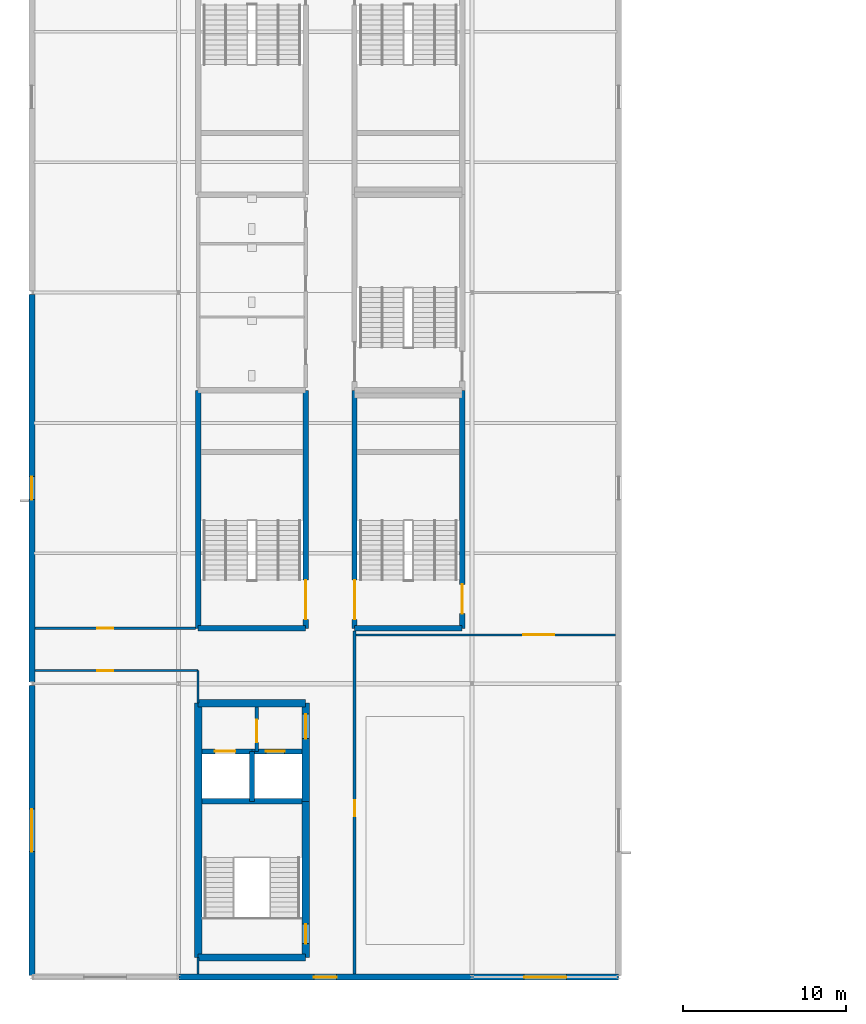
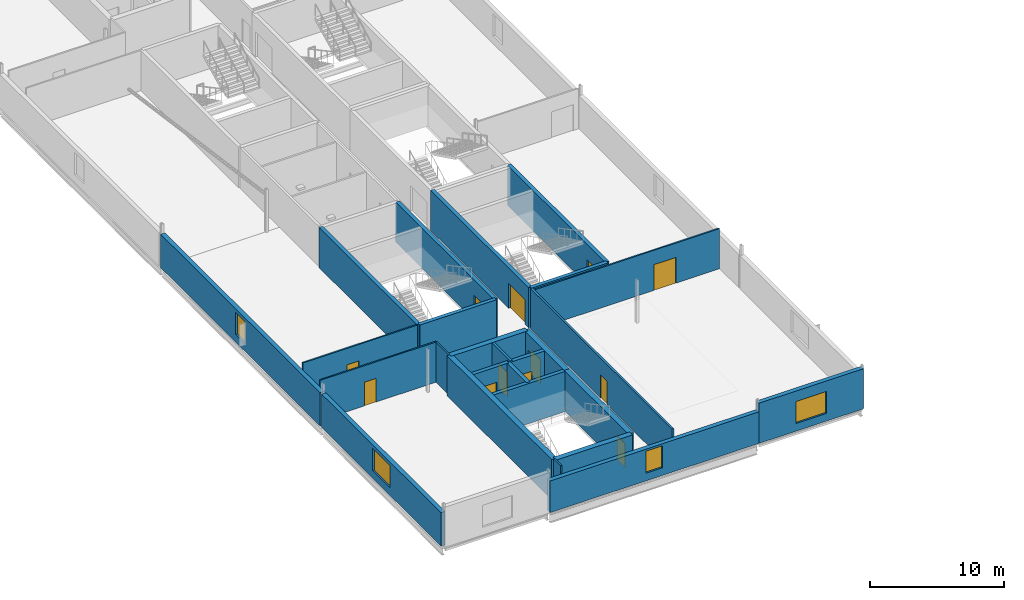
# One storey, part 19 of 35: 26 walls, 12 doors, 4 windows, 16 openings.
"""IFC4 building model written with IfcOpenShell, lengths in metres."""

from ifc_helpers import new_model, si_unit, direction, frame, frame_2d, origin, place, context, subcontext, project, spatial, rectangle, extrude, material, layer, layer_set, type_object, element, fill, save


model = new_model("IFC4")

# Units and contexts
model_context = context("Model", 3, precision=1e-05, world=origin(), true_north=direction((0.0, 1.0)))
body_context = subcontext(model_context, "Body", "Model", "MODEL_VIEW")
ifc_project = project(units=[si_unit("LENGTHUNIT", "METRE"), si_unit("AREAUNIT", "SQUARE_METRE"), si_unit("VOLUMEUNIT", "CUBIC_METRE"), si_unit("PLANEANGLEUNIT", "RADIAN"), si_unit("MASSUNIT", "GRAM", prefix="KILO")], contexts=[model_context])

# Site, building, storey
site_placement = place(None, origin())
site = spatial("IfcSite", under=ifc_project, at=site_placement, CompositionType="ELEMENT")
building_placement = place(site_placement, origin())
building = spatial("IfcBuilding", under=site, at=building_placement, Name="Kisiwana Market Hall", CompositionType="ELEMENT")
storey_placement = place(building_placement, frame((0.0, 0.0, 61.800048828125)))
storey = spatial("IfcBuildingStorey", under=building, at=storey_placement, Name="L14", CompositionType="ELEMENT", Elevation=61.800048828125)

# Wall, opening, door
ifc_material_1 = material(Name="Masonry blockwork", Category="masonry")
ifc_layer_1 = layer(ifc_material_1, 0.199951171875, Name="Plastered fire compartment block wall")
ifc_layer_set_1 = layer_set([ifc_layer_1], Name="WL-COMP-200")
wall_type_1 = type_object("IfcWallType", Name="WL-COMP-200", PredefinedType="PARTITIONING", material=ifc_layer_set_1)
wall_1_placement = place(storey_placement, frame((13.800048828125, 31.844970703125, 0.0), z_axis=(0.0, 0.0, 1.0), x_axis=(0.0, 1.0, 0.0)))
wall_1 = element("IfcWall", 1, at=wall_1_placement, inside=storey, type_object=wall_type_1, Name="Core W2 firefighting lobby wall W-3311", PredefinedType="PARTITIONING", context=body_context, shape_type="SweptSolid", body=[
    extrude(rectangle(XDim=2.72998046875, YDim=0.199951171875, at=frame_2d((1.364990234375, 0.0))), origin(), (0.0, 0.0, 1.0), 3.655029296875),
])
opening_1_placement = place(wall_1_placement, frame((0.550048828125, 0.0, 0.0)))
opening_1 = element("IfcOpeningElement", 2, at=opening_1_placement, cuts=wall_1, Name="Opening DR-L14-003", PredefinedType="OPENING", context=body_context, shape_type="SweptSolid", body=[
    extrude(rectangle(XDim=1.39990234375, YDim=2.25, at=frame_2d((0.699951171875, 1.125))), frame((0.0, 0.11181640625, 0.0), z_axis=(0.0, -1.0, 0.0), x_axis=(1.0, 0.0, 0.0)), (0.0, 0.0, 1.0), 0.223876953125),
])
ifc_material_2 = material(Name="Steel S275", Category="steel")
door_type_1 = type_object("IfcDoorType", Name="DR-FFLOB-FD120-1400", OperationType="DOUBLE_DOOR_SINGLE_SWING", PredefinedType="DOOR", material=ifc_material_2)
door_1_placement = place(opening_1_placement, frame((1.39990234375, 0.0, 0.0), z_axis=(0.0, 0.0, 1.0), x_axis=(-1.0, 0.0, 0.0)))
door_1 = element("IfcDoor", 3, at=door_1_placement, inside=storey, type_object=door_type_1, Name="Firefighting Lift Lobby W2 Door (L14)", OperationType="DOUBLE_DOOR_SINGLE_SWING", OverallHeight=2.25, OverallWidth=1.39990234375, PredefinedType="DOOR", context=body_context, shape_type="SweptSolid", body=[
    extrude(rectangle(XDim=1.39990234375, YDim=2.25, at=frame_2d((0.699951171875, 1.125))), frame((0.0, 0.02490234375, 0.0), z_axis=(0.0, -1.0, 0.0), x_axis=(1.0, 0.0, 0.0)), (0.0, 0.0, 1.0), 0.050048828125),
])
fill(opening_1, door_1)

# Walls
ifc_material_3 = material(Name="Concrete C40/50", Category="concrete")
ifc_layer_2 = layer(ifc_material_3, 0.320068359375, Name="Reinforced concrete shaft wall")
ifc_layer_set_2 = layer_set([ifc_layer_2], Name="WL-CORE-320")
wall_type_2 = type_object("IfcWallType", Name="WL-CORE-320", PredefinedType="SHEAR", material=ifc_layer_set_2)
wall_2_placement = place(storey_placement, frame((10.425048828125, 28.784912109375, 0.0), z_axis=(0.0, 0.0, 1.0), x_axis=(1.0, 0.0, 0.0)))
element("IfcWall", 4, at=wall_2_placement, inside=storey, type_object=wall_type_2, Name="Core W2 shaft back shear wall W-3204", PredefinedType="SHEAR", context=body_context, shape_type="SweptSolid", body=[
    extrude(rectangle(XDim=6.14990234375, YDim=0.320068359375, at=frame_2d((3.074951171875, 0.0))), origin(), (0.0, 0.0, 1.0), 3.655029296875),
])
wall_3_placement = place(storey_placement, frame((13.5, 28.784912109375, 0.0), z_axis=(0.0, 0.0, 1.0), x_axis=(0.0, 1.0, 0.0)))
element("IfcWall", 5, at=wall_3_placement, inside=storey, type_object=wall_type_2, Name="Core W2 inter-shaft shear wall W-3205", PredefinedType="SHEAR", context=body_context, shape_type="SweptSolid", body=[
    extrude(rectangle(XDim=3.06005859375, YDim=0.320068359375, at=frame_2d((1.530029296875, 0.0))), origin(), (0.0, 0.0, 1.0), 3.655029296875),
])

# Wall, opening, door
wall_4_placement = place(storey_placement, frame((10.425048828125, 31.844970703125, 0.0), z_axis=(0.0, 0.0, 1.0), x_axis=(1.0, 0.0, 0.0)))
wall_4 = element("IfcWall", 6, at=wall_4_placement, inside=storey, type_object=wall_type_2, Name="Core W2 west lift front wall W-3206", PredefinedType="SHEAR", context=body_context, shape_type="SweptSolid", body=[
    extrude(rectangle(XDim=3.074951171875, YDim=0.320068359375, at=frame_2d((1.53759765625, 0.0))), origin(), (0.0, 0.0, 1.0), 3.655029296875),
])
opening_2_placement = place(wall_4_placement, frame((0.800048828125, 0.0, 0.0)))
opening_2 = element("IfcOpeningElement", 7, at=opening_2_placement, cuts=wall_4, Name="Opening LD-L14-001", PredefinedType="OPENING", context=body_context, shape_type="SweptSolid", body=[
    extrude(rectangle(XDim=1.25, YDim=2.25, at=frame_2d((0.625, 1.125))), frame((0.0, 0.171875, 0.0), z_axis=(0.0, -1.0, 0.0), x_axis=(1.0, 0.0, 0.0)), (0.0, 0.0, 1.0), 0.343994140625),
])
ifc_material_4 = material(Name="Steel S275", Category="steel")
door_type_2 = type_object("IfcDoorType", Name="DR-LIFT-FFL-1250", OperationType="DOUBLE_DOOR_SLIDING", PredefinedType="DOOR", material=ifc_material_4)
door_2_placement = place(opening_2_placement, origin())
door_2 = element("IfcDoor", 8, at=door_2_placement, inside=storey, type_object=door_type_2, Name="Lift Landing Door FFL-01 (L14)", OperationType="DOUBLE_DOOR_SLIDING", OverallHeight=2.25, OverallWidth=1.25, PredefinedType="DOOR", context=body_context, shape_type="SweptSolid", body=[
    extrude(rectangle(XDim=1.25, YDim=2.25, at=frame_2d((0.625, 1.125))), frame((0.0, 0.02490234375, 0.0), z_axis=(0.0, -1.0, 0.0), x_axis=(1.0, 0.0, 0.0)), (0.0, 0.0, 1.0), 0.050048828125),
])
fill(opening_2, door_2)

wall_5_placement = place(storey_placement, frame((13.5, 31.844970703125, 0.0), z_axis=(0.0, 0.0, 1.0), x_axis=(1.0, 0.0, 0.0)))
wall_5 = element("IfcWall", 9, at=wall_5_placement, inside=storey, type_object=wall_type_2, Name="Core W2 east lift front wall W-3207", PredefinedType="SHEAR", context=body_context, shape_type="SweptSolid", body=[
    extrude(rectangle(XDim=3.074951171875, YDim=0.320068359375, at=frame_2d((1.53759765625, 0.0))), origin(), (0.0, 0.0, 1.0), 3.655029296875),
])
opening_3_placement = place(wall_5_placement, frame((0.85009765625, 0.0, 0.0)))
opening_3 = element("IfcOpeningElement", 10, at=opening_3_placement, cuts=wall_5, Name="Opening LD-L14-002", PredefinedType="OPENING", context=body_context, shape_type="SweptSolid", body=[
    extrude(rectangle(XDim=1.14990234375, YDim=2.199951171875, at=frame_2d((0.574951171875, 1.10009765625))), frame((0.0, 0.171875, 0.0), z_axis=(0.0, -1.0, 0.0), x_axis=(1.0, 0.0, 0.0)), (0.0, 0.0, 1.0), 0.343994140625),
])
ifc_material_5 = material(Name="Steel S275", Category="steel")
door_type_3 = type_object("IfcDoorType", Name="DR-LIFT-PAX-1150", OperationType="DOUBLE_DOOR_SLIDING", PredefinedType="DOOR", material=ifc_material_5)
door_3_placement = place(opening_3_placement, origin())
door_3 = element("IfcDoor", 11, at=door_3_placement, inside=storey, type_object=door_type_3, Name="Lift Landing Door LP-01 (L14)", OperationType="DOUBLE_DOOR_SLIDING", OverallHeight=2.199951171875, OverallWidth=1.14990234375, PredefinedType="DOOR", context=body_context, shape_type="SweptSolid", body=[
    extrude(rectangle(XDim=1.14990234375, YDim=2.199951171875, at=frame_2d((0.574951171875, 1.10009765625))), frame((0.0, 0.02490234375, 0.0), z_axis=(0.0, -1.0, 0.0), x_axis=(1.0, 0.0, 0.0)), (0.0, 0.0, 1.0), 0.050048828125),
])
fill(opening_3, door_3)

# Walls
wall_6_placement = place(storey_placement, frame((10.199951171875, 39.39990234375, 0.0), z_axis=(0.0, 0.0, 1.0), x_axis=(1.0, 0.0, 0.0)))
element("IfcWall", 12, at=wall_6_placement, inside=storey, type_object=wall_type_2, Name="Core W3 south shear wall W-3235", PredefinedType="SHEAR", context=body_context, shape_type="SweptSolid", body=[
    extrude(rectangle(XDim=6.60009765625, YDim=0.320068359375, at=frame_2d((3.300048828125, 0.0))), origin(), (0.0, 0.0, 1.0), 3.655029296875),
])
wall_7_placement = place(storey_placement, frame((10.199951171875, 39.39990234375, 0.0), z_axis=(0.0, 0.0, 1.0), x_axis=(0.0, 1.0, 0.0)))
element("IfcWall", 13, at=wall_7_placement, inside=storey, type_object=wall_type_2, Name="Core W3 outer shear wall W-3237", PredefinedType="SHEAR", context=body_context, shape_type="SweptSolid", body=[
    extrude(rectangle(XDim=14.60009765625, YDim=0.320068359375, at=frame_2d((7.300048828125, 0.0))), origin(), (0.0, 0.0, 1.0), 3.655029296875),
])

# Wall, opening, door
wall_8_placement = place(storey_placement, frame((16.800048828125, 39.39990234375, 0.0), z_axis=(0.0, 0.0, 1.0), x_axis=(0.0, 1.0, 0.0)))
wall_8 = element("IfcWall", 14, at=wall_8_placement, inside=storey, type_object=wall_type_2, Name="Core W3 corridor shear wall W-3238", PredefinedType="SHEAR", context=body_context, shape_type="SweptSolid", body=[
    extrude(rectangle(XDim=14.60009765625, YDim=0.320068359375, at=frame_2d((7.300048828125, 0.0))), origin(), (0.0, 0.0, 1.0), 3.655029296875),
])
opening_4_placement = place(wall_8_placement, frame((0.550048828125, 0.0, 0.0)))
opening_4 = element("IfcOpeningElement", 15, at=opening_4_placement, cuts=wall_8, Name="Opening DR-L14-013", PredefinedType="OPENING", context=body_context, shape_type="SweptSolid", body=[
    extrude(rectangle(XDim=2.39990234375, YDim=2.25, at=frame_2d((1.199951171875, 1.125))), frame((0.0, 0.171875, 0.0), z_axis=(0.0, -1.0, 0.0), x_axis=(1.0, 0.0, 0.0)), (0.0, 0.0, 1.0), 0.343994140625),
])
ifc_material_6 = material(Name="Steel S275", Category="steel")
door_type_4 = type_object("IfcDoorType", Name="DR-STAIR-FD120-2400", OperationType="DOUBLE_DOOR_SINGLE_SWING", PredefinedType="DOOR", material=ifc_material_6)
door_4_placement = place(opening_4_placement, origin())
door_4 = element("IfcDoor", 16, at=door_4_placement, inside=storey, type_object=door_type_4, Name="Escape Stair W3 Fire Door (L14)", OperationType="DOUBLE_DOOR_SINGLE_SWING", OverallHeight=2.25, OverallWidth=2.39990234375, PredefinedType="DOOR", context=body_context, shape_type="SweptSolid", body=[
    extrude(rectangle(XDim=2.39990234375, YDim=2.25, at=frame_2d((1.199951171875, 1.125))), frame((0.0, 0.02490234375, 0.0), z_axis=(0.0, -1.0, 0.0), x_axis=(1.0, 0.0, 0.0)), (0.0, 0.0, 1.0), 0.050048828125),
])
fill(opening_4, door_4)

# Wall
wall_9_placement = place(storey_placement, frame((19.800048828125, 39.39990234375, 0.0), z_axis=(0.0, 0.0, 1.0), x_axis=(1.0, 0.0, 0.0)))
element("IfcWall", 17, at=wall_9_placement, inside=storey, type_object=wall_type_2, Name="Core W7 south shear wall W-3255", PredefinedType="SHEAR", context=body_context, shape_type="SweptSolid", body=[
    extrude(rectangle(XDim=6.599853515625, YDim=0.320068359375, at=frame_2d((3.2998046875, 0.0))), origin(), (0.0, 0.0, 1.0), 3.655029296875),
])

# Wall, opening, door
wall_10_placement = place(storey_placement, frame((19.800048828125, 39.39990234375, 0.0), z_axis=(0.0, 0.0, 1.0), x_axis=(0.0, 1.0, 0.0)))
wall_10 = element("IfcWall", 18, at=wall_10_placement, inside=storey, type_object=wall_type_2, Name="Core W7 corridor shear wall W-3257", PredefinedType="SHEAR", context=body_context, shape_type="SweptSolid", body=[
    extrude(rectangle(XDim=14.60009765625, YDim=0.320068359375, at=frame_2d((7.300048828125, 0.0))), origin(), (0.0, 0.0, 1.0), 3.655029296875),
])
opening_5_placement = place(wall_10_placement, frame((0.550048828125, 0.0, 0.0)))
opening_5 = element("IfcOpeningElement", 19, at=opening_5_placement, cuts=wall_10, Name="Opening DR-L14-017", PredefinedType="OPENING", context=body_context, shape_type="SweptSolid", body=[
    extrude(rectangle(XDim=2.39990234375, YDim=2.25, at=frame_2d((1.199951171875, 1.125))), frame((0.0, 0.171875, 0.0), z_axis=(0.0, -1.0, 0.0), x_axis=(1.0, 0.0, 0.0)), (0.0, 0.0, 1.0), 0.343994140625),
])
door_5_placement = place(opening_5_placement, frame((2.39990234375, 0.0, 0.0), z_axis=(0.0, 0.0, 1.0), x_axis=(-1.0, 0.0, 0.0)))
door_5 = element("IfcDoor", 20, at=door_5_placement, inside=storey, type_object=door_type_4, Name="Escape Stair W7 Fire Door (L14)", OperationType="DOUBLE_DOOR_SINGLE_SWING", OverallHeight=2.25, OverallWidth=2.39990234375, PredefinedType="DOOR", context=body_context, shape_type="SweptSolid", body=[
    extrude(rectangle(XDim=2.39990234375, YDim=2.25, at=frame_2d((1.199951171875, 1.125))), frame((0.0, 0.02490234375, 0.0), z_axis=(0.0, -1.0, 0.0), x_axis=(1.0, 0.0, 0.0)), (0.0, 0.0, 1.0), 0.050048828125),
])
fill(opening_5, door_5)

wall_11_placement = place(storey_placement, frame((26.39990234375, 39.39990234375, 0.0), z_axis=(0.0, 0.0, 1.0), x_axis=(0.0, 1.0, 0.0)))
wall_11 = element("IfcWall", 21, at=wall_11_placement, inside=storey, type_object=wall_type_2, Name="Core W7 outer shear wall W-3258", PredefinedType="SHEAR", context=body_context, shape_type="SweptSolid", body=[
    extrude(rectangle(XDim=14.60009765625, YDim=0.320068359375, at=frame_2d((7.300048828125, 0.0))), origin(), (0.0, 0.0, 1.0), 3.655029296875),
])
opening_6_placement = place(wall_11_placement, frame((0.89990234375, 0.0, 0.0)))
opening_6 = element("IfcOpeningElement", 22, at=opening_6_placement, cuts=wall_11, Name="Opening DR-L14-018", PredefinedType="OPENING", context=body_context, shape_type="SweptSolid", body=[
    extrude(rectangle(XDim=1.800048828125, YDim=2.25, at=frame_2d((0.89990234375, 1.125))), frame((0.0, 0.171875, 0.0), z_axis=(0.0, -1.0, 0.0), x_axis=(1.0, 0.0, 0.0)), (0.0, 0.0, 1.0), 0.343994140625),
])
ifc_material_7 = material(Name="Steel S275", Category="steel")
door_type_5 = type_object("IfcDoorType", Name="DR-STAIR-FD120-1800", OperationType="DOUBLE_DOOR_SINGLE_SWING", PredefinedType="DOOR", material=ifc_material_7)
door_6_placement = place(opening_6_placement, origin())
door_6 = element("IfcDoor", 23, at=door_6_placement, inside=storey, type_object=door_type_5, Name="Escape Stair W7 Room Door (L14)", OperationType="DOUBLE_DOOR_SINGLE_SWING", OverallHeight=2.25, OverallWidth=1.800048828125, PredefinedType="DOOR", context=body_context, shape_type="SweptSolid", body=[
    extrude(rectangle(XDim=1.800048828125, YDim=2.25, at=frame_2d((0.89990234375, 1.125))), frame((0.0, 0.02490234375, 0.0), z_axis=(0.0, -1.0, 0.0), x_axis=(1.0, 0.0, 0.0)), (0.0, 0.0, 1.0), 0.050048828125),
])
fill(opening_6, door_6)

# Walls
ifc_material_8 = material(Name="Concrete C40/50", Category="concrete")
ifc_layer_3 = layer(ifc_material_8, 0.449951171875, Name="Reinforced concrete core wall")
ifc_layer_set_3 = layer_set([ifc_layer_3], Name="WL-CORE-450")
wall_type_3 = type_object("IfcWallType", Name="WL-CORE-450", PredefinedType="SHEAR", material=ifc_layer_set_3)
for number, where, z_axis, x_axis, name in (
    (24, (10.199951171875, 19.199951171875, 0.0), (0.0, 0.0, 1.0), (1.0, 0.0, 0.0), "Core W2 south shear wall W-3199"),
    (25, (10.199951171875, 34.800048828125, 0.0), (0.0, 0.0, 1.0), (1.0, 0.0, 0.0), "Core W2 north shear wall W-3200"),
):
    element("IfcWall", number, at=place(storey_placement, frame(where, z_axis=z_axis, x_axis=x_axis)), inside=storey, type_object=wall_type_3, Name=name, PredefinedType="SHEAR", context=body_context, shape_type="SweptSolid", body=[
        extrude(rectangle(XDim=6.60009765625, YDim=0.449951171875, at=frame_2d((3.300048828125, 0.0))), origin(), (0.0, 0.0, 1.0), 3.655029296875),
    ])
wall_12_placement = place(storey_placement, frame((10.199951171875, 19.199951171875, 0.0), z_axis=(0.0, 0.0, 1.0), x_axis=(0.0, 1.0, 0.0)))
element("IfcWall", 26, at=wall_12_placement, inside=storey, type_object=wall_type_3, Name="Core W2 outer shear wall W-3201", PredefinedType="SHEAR", context=body_context, shape_type="SweptSolid", body=[
    extrude(rectangle(XDim=15.60009765625, YDim=0.449951171875, at=frame_2d((7.800048828125, 0.0))), origin(), (0.0, 0.0, 1.0), 3.655029296875),
])

# Wall, opening, door
wall_13_placement = place(storey_placement, frame((16.800048828125, 19.199951171875, 0.0), z_axis=(0.0, 0.0, 1.0), x_axis=(0.0, 1.0, 0.0)))
wall_13 = element("IfcWall", 27, at=wall_13_placement, inside=storey, type_object=wall_type_3, Name="Core W2 stair corridor shear wall W-3202", PredefinedType="SHEAR", context=body_context, shape_type="SweptSolid", body=[
    extrude(rectangle(XDim=9.5849609375, YDim=0.449951171875, at=frame_2d((4.79248046875, 0.0))), origin(), (0.0, 0.0, 1.0), 3.655029296875),
])
opening_7_placement = place(wall_13_placement, frame((0.85009765625, 0.0, 0.0)))
opening_7 = element("IfcOpeningElement", 28, at=opening_7_placement, cuts=wall_13, Name="Opening DR-L14-001", PredefinedType="OPENING", context=body_context, shape_type="SweptSolid", body=[
    extrude(rectangle(XDim=1.199951171875, YDim=2.199951171875, at=frame_2d((0.60009765625, 1.10009765625))), frame((0.0, 0.23681640625, 0.0), z_axis=(0.0, -1.0, 0.0), x_axis=(1.0, 0.0, 0.0)), (0.0, 0.0, 1.0), 0.473876953125),
])
ifc_material_9 = material(Name="Steel S275", Category="steel")
door_type_6 = type_object("IfcDoorType", Name="DR-STAIR-FD120-1200", OperationType="NOTDEFINED", PredefinedType="DOOR", material=ifc_material_9)
door_7_placement = place(opening_7_placement, origin())
door_7 = element("IfcDoor", 29, at=door_7_placement, inside=storey, type_object=door_type_6, Name="Escape Stair W2 Fire Door (L14)", OperationType="SINGLE_SWING_LEFT", OverallHeight=2.199951171875, OverallWidth=1.199951171875, PredefinedType="DOOR", context=body_context, shape_type="SweptSolid", body=[
    extrude(rectangle(XDim=1.199951171875, YDim=2.199951171875, at=frame_2d((0.60009765625, 1.10009765625))), frame((0.0, 0.02490234375, 0.0), z_axis=(0.0, -1.0, 0.0), x_axis=(1.0, 0.0, 0.0)), (0.0, 0.0, 1.0), 0.050048828125),
])
fill(opening_7, door_7)

wall_14_placement = place(storey_placement, frame((16.800048828125, 28.784912109375, 0.0), z_axis=(0.0, 0.0, 1.0), x_axis=(0.0, 1.0, 0.0)))
wall_14 = element("IfcWall", 30, at=wall_14_placement, inside=storey, type_object=wall_type_3, Name="Core W2 lobby corridor shear wall W-3203", PredefinedType="SHEAR", context=body_context, shape_type="SweptSolid", body=[
    extrude(rectangle(XDim=6.01513671875, YDim=0.449951171875, at=frame_2d((3.007568359375, 0.0))), origin(), (0.0, 0.0, 1.0), 3.655029296875),
])
opening_8_placement = place(wall_14_placement, frame((3.85009765625, 0.0, 0.0)))
opening_8 = element("IfcOpeningElement", 31, at=opening_8_placement, cuts=wall_14, Name="Opening DR-L14-002", PredefinedType="OPENING", context=body_context, shape_type="SweptSolid", body=[
    extrude(rectangle(XDim=1.5, YDim=2.199951171875, at=frame_2d((0.75, 1.10009765625))), frame((0.0, 0.23681640625, 0.0), z_axis=(0.0, -1.0, 0.0), x_axis=(1.0, 0.0, 0.0)), (0.0, 0.0, 1.0), 0.473876953125),
])
ifc_material_10 = material(Name="Steel S275", Category="steel")
door_type_7 = type_object("IfcDoorType", Name="DR-CORR-FD60-1500", OperationType="DOUBLE_DOOR_SINGLE_SWING", PredefinedType="DOOR", material=ifc_material_10)
door_8_placement = place(opening_8_placement, frame((1.5, 0.0, 0.0), z_axis=(0.0, 0.0, 1.0), x_axis=(-1.0, 0.0, 0.0)))
door_8 = element("IfcDoor", 32, at=door_8_placement, inside=storey, type_object=door_type_7, Name="Passenger Lift Lobby W2 Smoke Door (L14)", OperationType="DOUBLE_DOOR_SINGLE_SWING", OverallHeight=2.199951171875, OverallWidth=1.5, PredefinedType="DOOR", context=body_context, shape_type="SweptSolid", body=[
    extrude(rectangle(XDim=1.5, YDim=2.199951171875, at=frame_2d((0.75, 1.10009765625))), frame((0.0, 0.02490234375, 0.0), z_axis=(0.0, -1.0, 0.0), x_axis=(1.0, 0.0, 0.0)), (0.0, 0.0, 1.0), 0.050048828125),
])
fill(opening_8, door_8)

ifc_material_11 = material(Name="Masonry blockwork", Category="masonry")
ifc_layer_4 = layer(ifc_material_11, 0.169921875, Name="Protected corridor partition")
ifc_layer_set_4 = layer_set([ifc_layer_4], Name="WL-CORR-170")
wall_type_4 = type_object("IfcWallType", Name="WL-CORR-170", PredefinedType="PARTITIONING", material=ifc_layer_set_4)
wall_15_placement = place(storey_placement, frame((19.800048828125, 18.1826171875, 0.0), z_axis=(0.0, 0.0, 1.0), x_axis=(0.0, 1.0, 0.0)))
wall_15 = element("IfcWall", 33, at=wall_15_placement, inside=storey, type_object=wall_type_4, Name="Interior partition W-3330", PredefinedType="PARTITIONING", context=body_context, shape_type="SweptSolid", body=[
    extrude(rectangle(XDim=21.057373046875, YDim=0.169921875, at=frame_2d((10.52880859375, 0.0))), origin(), (0.0, 0.0, 1.0), 3.655029296875),
])
opening_9_placement = place(wall_15_placement, frame((9.677001953125, 0.0, 0.0)))
opening_9 = element("IfcOpeningElement", 34, at=opening_9_placement, cuts=wall_15, Name="Opening DR-L14-035", PredefinedType="OPENING", context=body_context, shape_type="SweptSolid", body=[
    extrude(rectangle(XDim=0.97998046875, YDim=2.14990234375, at=frame_2d((0.489990234375, 1.074951171875))), frame((0.0, 0.096923828125, 0.0), z_axis=(0.0, -1.0, 0.0), x_axis=(1.0, 0.0, 0.0)), (0.0, 0.0, 1.0), 0.19384765625),
])
ifc_material_12 = material(Name="Hardwood timber", Category="wood")
door_type_8 = type_object("IfcDoorType", Name="DR-STOR-FD60-0980", OperationType="NOTDEFINED", PredefinedType="DOOR", material=ifc_material_12)
door_9_placement = place(opening_9_placement, frame((0.97998046875, 0.0, 0.0), z_axis=(0.0, 0.0, 1.0), x_axis=(-1.0, 0.0, 0.0)))
door_9 = element("IfcDoor", 35, at=door_9_placement, inside=storey, type_object=door_type_8, Name="L14 W Executive Office C1 Door", OperationType="SINGLE_SWING_RIGHT", OverallHeight=2.14990234375, OverallWidth=0.97998046875, PredefinedType="DOOR", context=body_context, shape_type="SweptSolid", body=[
    extrude(rectangle(XDim=0.97998046875, YDim=2.14990234375, at=frame_2d((0.489990234375, 1.074951171875))), frame((0.0, 0.02490234375, 0.0), z_axis=(0.0, -1.0, 0.0), x_axis=(1.0, 0.0, 0.0)), (0.0, 0.0, 1.0), 0.050048828125),
])
fill(opening_9, door_9)

# Wall, opening, window
ifc_material_13 = material(Name="Concrete C40/50 precast", Category="concrete")
ifc_layer_5 = layer(ifc_material_13, 0.364990234375)
ifc_layer_set_5 = layer_set([ifc_layer_5], Name="WL-EXT-365")
wall_type_5 = type_object("IfcWallType", Name="WL-EXT-365", PredefinedType="STANDARD", material=ifc_layer_set_5)
wall_16_placement = place(storey_placement, frame((9.010009765625, 18.0, 0.0), z_axis=(0.0, 0.0, 1.0), x_axis=(1.0, 0.0, 0.0)))
wall_16 = element("IfcWall", 36, at=wall_16_placement, inside=storey, type_object=wall_type_5, Name="Exterior wall W-3284", PredefinedType="STANDARD", context=body_context, shape_type="SweptSolid", body=[
    extrude(rectangle(XDim=17.97998046875, YDim=0.364990234375, at=frame_2d((8.989990234375, 0.0))), origin(), (0.0, 0.0, 1.0), 2.879638671875),
])
opening_10_placement = place(wall_16_placement, frame((8.2900390625, 0.0, 0.699951171875)))
opening_10 = element("IfcOpeningElement", 37, at=opening_10_placement, cuts=wall_16, Name="Opening WN-05", PredefinedType="OPENING", context=body_context, shape_type="SweptSolid", body=[
    extrude(rectangle(XDim=1.39990234375, YDim=2.0, at=frame_2d((0.699951171875, 1.0))), frame((0.0, 0.1943359375, 0.0), z_axis=(0.0, -1.0, 0.0), x_axis=(1.0, 0.0, 0.0)), (0.0, 0.0, 1.0), 0.388916015625),
])
ifc_material_14 = material(Name="Double-glazed solar-control low-E IGU", Category="glass")
window_type_1 = type_object("IfcWindowType", Name="WN-OFFC-1400x2000", PartitioningType="SINGLE_PANEL", PredefinedType="WINDOW", material=ifc_material_14)
window_1_placement = place(opening_10_placement, origin())
window_1 = element("IfcWindow", 38, at=window_1_placement, inside=storey, type_object=window_type_1, Name="Exterior window WN-382", OverallHeight=2.0, OverallWidth=1.39990234375, PartitioningType="SINGLE_PANEL", PredefinedType="WINDOW", context=body_context, shape_type="SweptSolid", body=[
    extrude(rectangle(XDim=1.39990234375, YDim=2.0, at=frame_2d((0.699951171875, 1.0))), frame((0.0, 0.030029296875, 0.0), z_axis=(0.0, -1.0, 0.0), x_axis=(1.0, 0.0, 0.0)), (0.0, 0.0, 1.0), 0.06005859375),
])
fill(opening_10, window_1)

wall_17_placement = place(storey_placement, frame((27.010009765625, 18.0, 0.0), z_axis=(0.0, 0.0, 1.0), x_axis=(1.0, 0.0, 0.0)))
wall_17 = element("IfcWall", 39, at=wall_17_placement, inside=storey, type_object=wall_type_5, Name="Exterior wall W-3285", PredefinedType="STANDARD", context=body_context, shape_type="SweptSolid", body=[
    extrude(rectangle(XDim=8.97998046875, YDim=0.364990234375, at=frame_2d((4.489990234375, 0.0))), origin(), (0.0, 0.0, 1.0), 3.655029296875),
])
opening_11_placement = place(wall_17_placement, frame((3.18994140625, 0.0, 0.699951171875)))
opening_11 = element("IfcOpeningElement", 40, at=opening_11_placement, cuts=wall_17, Name="Opening WN-13", PredefinedType="OPENING", context=body_context, shape_type="SweptSolid", body=[
    extrude(rectangle(XDim=2.60009765625, YDim=2.0, at=frame_2d((1.300048828125, 1.0))), frame((0.0, 0.1943359375, 0.0), z_axis=(0.0, -1.0, 0.0), x_axis=(1.0, 0.0, 0.0)), (0.0, 0.0, 1.0), 0.388916015625),
])
ifc_material_15 = material(Name="Double-glazed solar-control low-E IGU", Category="glass")
window_type_2 = type_object("IfcWindowType", Name="WN-OFFC-2600x2000", PartitioningType="SINGLE_PANEL", PredefinedType="WINDOW", material=ifc_material_15)
window_2_placement = place(opening_11_placement, origin())
window_2 = element("IfcWindow", 41, at=window_2_placement, inside=storey, type_object=window_type_2, Name="Exterior window WN-395", OverallHeight=2.0, OverallWidth=2.60009765625, PartitioningType="SINGLE_PANEL", PredefinedType="WINDOW", context=body_context, shape_type="SweptSolid", body=[
    extrude(rectangle(XDim=2.60009765625, YDim=2.0, at=frame_2d((1.300048828125, 1.0))), frame((0.0, 0.030029296875, 0.0), z_axis=(0.0, -1.0, 0.0), x_axis=(1.0, 0.0, 0.0)), (0.0, 0.0, 1.0), 0.06005859375),
])
fill(opening_11, window_2)

wall_18_placement = place(storey_placement, frame((0.0, 18.107666015625, 0.0), z_axis=(0.0, 0.0, 1.0), x_axis=(0.0, 1.0, 0.0)))
wall_18 = element("IfcWall", 42, at=wall_18_placement, inside=storey, type_object=wall_type_5, Name="Exterior wall W-3295", PredefinedType="STANDARD", context=body_context, shape_type="SweptSolid", body=[
    extrude(rectangle(XDim=17.78466796875, YDim=0.364990234375, at=frame_2d((8.892333984375, 0.0))), origin(), (0.0, 0.0, 1.0), 3.042724609375),
])
opening_12_placement = place(wall_18_placement, frame((7.59228515625, 0.0, 0.699951171875)))
opening_12 = element("IfcOpeningElement", 43, at=opening_12_placement, cuts=wall_18, Name="Opening WN-13", PredefinedType="OPENING", context=body_context, shape_type="SweptSolid", body=[
    extrude(rectangle(XDim=2.60009765625, YDim=2.0, at=frame_2d((1.300048828125, 1.0))), frame((0.0, 0.1943359375, 0.0), z_axis=(0.0, -1.0, 0.0), x_axis=(1.0, 0.0, 0.0)), (0.0, 0.0, 1.0), 0.388916015625),
])
window_3_placement = place(opening_12_placement, origin())
window_3 = element("IfcWindow", 44, at=window_3_placement, inside=storey, type_object=window_type_2, Name="Exterior window WN-402", OverallHeight=2.0, OverallWidth=2.60009765625, PartitioningType="SINGLE_PANEL", PredefinedType="WINDOW", context=body_context, shape_type="SweptSolid", body=[
    extrude(rectangle(XDim=2.60009765625, YDim=2.0, at=frame_2d((1.300048828125, 1.0))), frame((0.0, 0.030029296875, 0.0), z_axis=(0.0, -1.0, 0.0), x_axis=(1.0, 0.0, 0.0)), (0.0, 0.0, 1.0), 0.06005859375),
])
fill(opening_12, window_3)

wall_19_placement = place(storey_placement, frame((0.0, 36.107666015625, 0.0), z_axis=(0.0, 0.0, 1.0), x_axis=(0.0, 1.0, 0.0)))
wall_19 = element("IfcWall", 45, at=wall_19_placement, inside=storey, type_object=wall_type_5, Name="Exterior wall W-3296", PredefinedType="STANDARD", context=body_context, shape_type="SweptSolid", body=[
    extrude(rectangle(XDim=23.78466796875, YDim=0.364990234375, at=frame_2d((11.892333984375, 0.0))), origin(), (0.0, 0.0, 1.0), 3.042724609375),
])
opening_13_placement = place(wall_19_placement, frame((11.1923828125, 0.0, 0.699951171875)))
opening_13 = element("IfcOpeningElement", 46, at=opening_13_placement, cuts=wall_19, Name="Opening WN-05", PredefinedType="OPENING", context=body_context, shape_type="SweptSolid", body=[
    extrude(rectangle(XDim=1.39990234375, YDim=2.0, at=frame_2d((0.699951171875, 1.0))), frame((0.0, 0.1943359375, 0.0), z_axis=(0.0, -1.0, 0.0), x_axis=(1.0, 0.0, 0.0)), (0.0, 0.0, 1.0), 0.388916015625),
])
window_4_placement = place(opening_13_placement, origin())
window_4 = element("IfcWindow", 47, at=window_4_placement, inside=storey, type_object=window_type_1, Name="Exterior window WN-386", OverallHeight=2.0, OverallWidth=1.39990234375, PartitioningType="SINGLE_PANEL", PredefinedType="WINDOW", context=body_context, shape_type="SweptSolid", body=[
    extrude(rectangle(XDim=1.39990234375, YDim=2.0, at=frame_2d((0.699951171875, 1.0))), frame((0.0, 0.030029296875, 0.0), z_axis=(0.0, -1.0, 0.0), x_axis=(1.0, 0.0, 0.0)), (0.0, 0.0, 1.0), 0.06005859375),
])
fill(opening_13, window_4)

# Walls
ifc_material_16 = material(Name="Gypsum plasterboard")
ifc_layer_6 = layer(ifc_material_16, 0.125, Name="Double gypsum board + acoustic stud")
ifc_layer_set_6 = layer_set([ifc_layer_6], Name="WL-OFF-125")
wall_type_6 = type_object("IfcWallType", Name="WL-OFF-125", PredefinedType="PARTITIONING", material=ifc_layer_set_6)
wall_20_placement = place(storey_placement, frame((10.199951171875, 34.800048828125, 0.0), z_axis=(0.0, 0.0, 1.0), x_axis=(0.0, 1.0, 0.0)))
element("IfcWall", 48, at=wall_20_placement, inside=storey, type_object=wall_type_6, Name="Interior partition W-3319", PredefinedType="PARTITIONING", context=body_context, shape_type="SweptSolid", body=[
    extrude(rectangle(XDim=2.0, YDim=0.125, at=frame_2d((1.0, 0.0))), origin(), (0.0, 0.0, 1.0), 3.655029296875),
])
wall_21_placement = place(storey_placement, frame((10.199951171875, 18.1826171875, 0.0), z_axis=(0.0, 0.0, 1.0), x_axis=(0.0, 1.0, 0.0)))
element("IfcWall", 49, at=wall_21_placement, inside=storey, type_object=wall_type_6, Name="Interior partition W-3321", PredefinedType="PARTITIONING", context=body_context, shape_type="SweptSolid", body=[
    extrude(rectangle(XDim=1.017333984375, YDim=0.125, at=frame_2d((0.5087890625, 0.0))), origin(), (0.0, 0.0, 1.0), 3.655029296875),
])

# Wall, opening, door
wall_22_placement = place(storey_placement, frame((0.1826171875, 36.800048828125, 0.0), z_axis=(0.0, 0.0, 1.0), x_axis=(1.0, 0.0, 0.0)))
wall_22 = element("IfcWall", 50, at=wall_22_placement, inside=storey, type_object=wall_type_6, Name="Interior partition W-3323", PredefinedType="PARTITIONING", context=body_context, shape_type="SweptSolid", body=[
    extrude(rectangle(XDim=10.017333984375, YDim=0.125, at=frame_2d((5.0087890625, 0.0))), origin(), (0.0, 0.0, 1.0), 3.655029296875),
])
opening_14_placement = place(wall_22_placement, frame((3.81689453125, 0.0, 0.0)))
opening_14 = element("IfcOpeningElement", 51, at=opening_14_placement, cuts=wall_22, Name="Opening DR-L14-030", PredefinedType="OPENING", context=body_context, shape_type="SweptSolid", body=[
    extrude(rectangle(XDim=1.0, YDim=2.14990234375, at=frame_2d((0.5, 1.074951171875))), frame((0.0, 0.074462890625, 0.0), z_axis=(0.0, -1.0, 0.0), x_axis=(1.0, 0.0, 0.0)), (0.0, 0.0, 1.0), 0.14892578125),
])
ifc_material_17 = material(Name="Aluminium alloy 6063-T6", Category="aluminium")
door_type_9 = type_object("IfcDoorType", Name="DR-OFF-1000", OperationType="NOTDEFINED", PredefinedType="DOOR", material=ifc_material_17)
door_10_placement = place(opening_14_placement, frame((1.0, 0.0, 0.0), z_axis=(0.0, 0.0, 1.0), x_axis=(-1.0, 0.0, 0.0)))
door_10 = element("IfcDoor", 52, at=door_10_placement, inside=storey, type_object=door_type_9, Name="L14 W Commercial Office South Door", OperationType="SINGLE_SWING_RIGHT", OverallHeight=2.14990234375, OverallWidth=1.0, PredefinedType="DOOR", context=body_context, shape_type="SweptSolid", body=[
    extrude(rectangle(XDim=1.0, YDim=2.14990234375, at=frame_2d((0.5, 1.074951171875))), frame((0.0, 0.02490234375, 0.0), z_axis=(0.0, -1.0, 0.0), x_axis=(1.0, 0.0, 0.0)), (0.0, 0.0, 1.0), 0.050048828125),
])
fill(opening_14, door_10)

wall_23_placement = place(storey_placement, frame((0.1826171875, 39.39990234375, 0.0), z_axis=(0.0, 0.0, 1.0), x_axis=(1.0, 0.0, 0.0)))
wall_23 = element("IfcWall", 53, at=wall_23_placement, inside=storey, type_object=wall_type_6, Name="Interior partition W-3324", PredefinedType="PARTITIONING", context=body_context, shape_type="SweptSolid", body=[
    extrude(rectangle(XDim=9.857421875, YDim=0.125, at=frame_2d((4.9287109375, 0.0))), origin(), (0.0, 0.0, 1.0), 3.655029296875),
])
opening_15_placement = place(wall_23_placement, frame((3.81689453125, 0.0, 0.0)))
opening_15 = element("IfcOpeningElement", 54, at=opening_15_placement, cuts=wall_23, Name="Opening DR-L14-031", PredefinedType="OPENING", context=body_context, shape_type="SweptSolid", body=[
    extrude(rectangle(XDim=1.0, YDim=2.14990234375, at=frame_2d((0.5, 1.074951171875))), frame((0.0, 0.074462890625, 0.0), z_axis=(0.0, -1.0, 0.0), x_axis=(1.0, 0.0, 0.0)), (0.0, 0.0, 1.0), 0.14892578125),
])
door_11_placement = place(opening_15_placement, origin())
door_11 = element("IfcDoor", 55, at=door_11_placement, inside=storey, type_object=door_type_9, Name="L14 W Commercial Office Central Door", OperationType="SINGLE_SWING_LEFT", OverallHeight=2.14990234375, OverallWidth=1.0, PredefinedType="DOOR", context=body_context, shape_type="SweptSolid", body=[
    extrude(rectangle(XDim=1.0, YDim=2.14990234375, at=frame_2d((0.5, 1.074951171875))), frame((0.0, 0.02490234375, 0.0), z_axis=(0.0, -1.0, 0.0), x_axis=(1.0, 0.0, 0.0)), (0.0, 0.0, 1.0), 0.050048828125),
])
fill(opening_15, door_11)

wall_24_placement = place(storey_placement, frame((19.885009765625, 39.0, 0.0), z_axis=(0.0, 0.0, 1.0), x_axis=(1.0, 0.0, 0.0)))
wall_24 = element("IfcWall", 56, at=wall_24_placement, inside=storey, type_object=wall_type_6, Name="Interior partition W-3327", PredefinedType="PARTITIONING", context=body_context, shape_type="SweptSolid", body=[
    extrude(rectangle(XDim=15.932373046875, YDim=0.125, at=frame_2d((7.96630859375, 0.0))), origin(), (0.0, 0.0, 1.0), 3.655029296875),
])
opening_16_placement = place(wall_24_placement, frame((10.264892578125, 0.0, 0.0)))
opening_16 = element("IfcOpeningElement", 57, at=opening_16_placement, cuts=wall_24, Name="Opening DR-L14-033", PredefinedType="OPENING", context=body_context, shape_type="SweptSolid", body=[
    extrude(rectangle(XDim=1.89990234375, YDim=2.35009765625, at=frame_2d((0.949951171875, 1.175048828125))), frame((0.0, 0.074462890625, 0.0), z_axis=(0.0, -1.0, 0.0), x_axis=(1.0, 0.0, 0.0)), (0.0, 0.0, 1.0), 0.14892578125),
])
ifc_material_18 = material(Name="Steel S275", Category="steel")
door_type_10 = type_object("IfcDoorType", Name="DR-HALL-1900", OperationType="DOUBLE_DOOR_SINGLE_SWING", PredefinedType="DOOR", material=ifc_material_18)
door_12_placement = place(opening_16_placement, origin())
door_12 = element("IfcDoor", 58, at=door_12_placement, inside=storey, type_object=door_type_10, Name="L14 W Director Boardroom C2 Exit Door", OperationType="DOUBLE_DOOR_SINGLE_SWING", OverallHeight=2.35009765625, OverallWidth=1.89990234375, PredefinedType="DOOR", context=body_context, shape_type="SweptSolid", body=[
    extrude(rectangle(XDim=1.89990234375, YDim=2.35009765625, at=frame_2d((0.949951171875, 1.175048828125))), frame((0.0, 0.02490234375, 0.0), z_axis=(0.0, -1.0, 0.0), x_axis=(1.0, 0.0, 0.0)), (0.0, 0.0, 1.0), 0.050048828125),
])
fill(opening_16, door_12)

save(model, "model.ifc")
